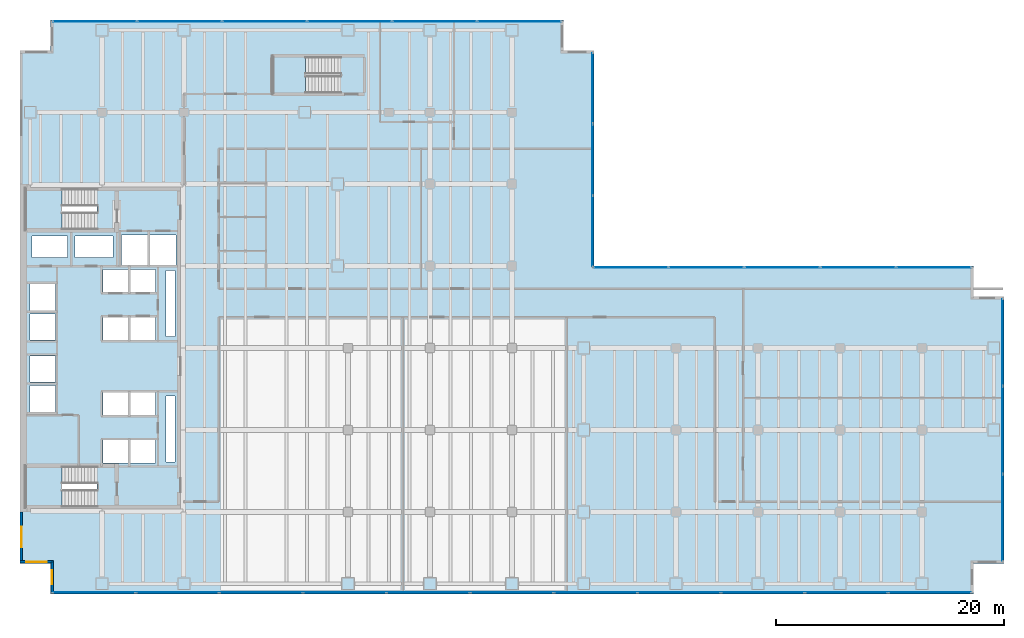
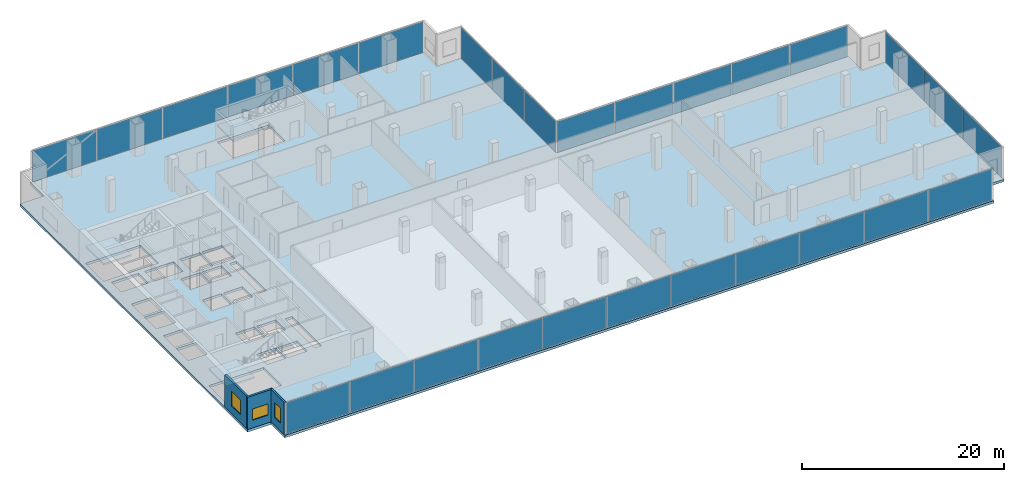
# One storey, part 21 of 28: 28 plates, 4 slabs, 3 walls, 3 windows, 24 openings, 8 elements without a shape of their own.
"""IFC4 building model written with IfcOpenShell, lengths in metres."""

from ifc_helpers import new_model, si_unit, direction, frame, frame_2d, origin, origin_2d, place, context, subcontext, project, spatial, polyline, rectangle, outline, extrude, material, layer, layer_set, type_object, element, fill, aggregate, save


model = new_model("IFC4")

# Units and contexts
model_context = context("Model", 3, precision=1e-05, world=origin(), true_north=direction((0.0, 1.0)))
body_context = subcontext(model_context, "Body", "Model", "MODEL_VIEW")
ifc_project = project(units=[si_unit("LENGTHUNIT", "METRE"), si_unit("AREAUNIT", "SQUARE_METRE"), si_unit("VOLUMEUNIT", "CUBIC_METRE"), si_unit("PLANEANGLEUNIT", "RADIAN"), si_unit("MASSUNIT", "GRAM", prefix="KILO")], contexts=[model_context])

# Site, building, storey
site_placement = place(None, origin())
site = spatial("IfcSite", under=ifc_project, at=site_placement, CompositionType="ELEMENT")
building_placement = place(site_placement, origin())
building = spatial("IfcBuilding", under=site, at=building_placement, Name="Cobrela Telecom Tower", CompositionType="ELEMENT")
storey_placement = place(building_placement, frame((0.0, 0.0, 17.85009765625)))
storey = spatial("IfcBuildingStorey", under=building, at=storey_placement, Name="L04", CompositionType="ELEMENT", Elevation=17.85009765625)

# Curtain wall, plates
ifc_material_1 = material(Name="Anodized Bronze Aluminium 6063-T6", Category="aluminium")
curtain_wall_type = type_object("IfcCurtainWallType", Name="CW-SYS-CONC", PredefinedType="USERDEFINED", material=ifc_material_1)
curtain_wall_1_placement = place(storey_placement, origin())
curtain_wall_1 = element("IfcCurtainWall", 1, at=curtain_wall_1_placement, inside=storey, type_object=curtain_wall_type, Name="L04 Unitised Bronze Curtain Wall 07", ObjectType="UNITISED CURTAIN WALL", PredefinedType="USERDEFINED")
ifc_material_2 = material(Name="Solar-Control Bronze Low-E Glass", Category="glass")
ifc_layer_1 = layer(ifc_material_2, 0.0419921875)
ifc_layer_set_1 = layer_set([ifc_layer_1], Name="Solar-Control Bronze Low-E Glass")
plate_type = type_object("IfcPlateType", Name="CW-SYS-CONC-PNL", PredefinedType="CURTAIN_PANEL", material=ifc_layer_set_1)
plate_1_placement = place(storey_placement, frame((6.570068359375, 50.280029296875, 0.079833984375), z_axis=(0.0, 0.0, 1.0), x_axis=(1.0, 0.0, 0.0)))
plate_1 = element("IfcPlate", 2, at=plate_1_placement, type_object=plate_type, Name="CW-CONC panel 1.1", PredefinedType="CURTAIN_PANEL", context=body_context, shape_type="SweptSolid", body=[
    extrude(rectangle(XDim=7.340087890625, YDim=0.0419921875, at=origin_2d()), origin(), (0.0, 0.0, 1.0), 3.75),
])
plate_2_placement = place(storey_placement, frame((14.010009765625, 50.280029296875, 0.079833984375), z_axis=(0.0, 0.0, 1.0), x_axis=(1.0, 0.0, 0.0)))
plate_2 = element("IfcPlate", 3, at=plate_2_placement, type_object=plate_type, Name="CW-CONC panel 2.1", PredefinedType="CURTAIN_PANEL", context=body_context, shape_type="SweptSolid", body=[
    extrude(rectangle(XDim=7.3798828125, YDim=0.0419921875, at=origin_2d()), origin(), (0.0, 0.0, 1.0), 3.75),
])
plate_3_placement = place(storey_placement, frame((21.469970703125, 50.280029296875, 0.079833984375), z_axis=(0.0, 0.0, 1.0), x_axis=(1.0, 0.0, 0.0)))
plate_3 = element("IfcPlate", 4, at=plate_3_placement, type_object=plate_type, Name="CW-CONC panel 3.1", PredefinedType="CURTAIN_PANEL", context=body_context, shape_type="SweptSolid", body=[
    extrude(rectangle(XDim=7.3798828125, YDim=0.0419921875, at=origin_2d()), origin(), (0.0, 0.0, 1.0), 3.75),
])
plate_4_placement = place(storey_placement, frame((28.929931640625, 50.280029296875, 0.079833984375), z_axis=(0.0, 0.0, 1.0), x_axis=(1.0, 0.0, 0.0)))
plate_4 = element("IfcPlate", 5, at=plate_4_placement, type_object=plate_type, Name="CW-CONC panel 4.1", PredefinedType="CURTAIN_PANEL", context=body_context, shape_type="SweptSolid", body=[
    extrude(rectangle(XDim=7.3798828125, YDim=0.0419921875, at=origin_2d()), origin(), (0.0, 0.0, 1.0), 3.75),
])
plate_5_placement = place(storey_placement, frame((36.389892578125, 50.280029296875, 0.079833984375), z_axis=(0.0, 0.0, 1.0), x_axis=(1.0, 0.0, 0.0)))
plate_5 = element("IfcPlate", 6, at=plate_5_placement, type_object=plate_type, Name="CW-CONC panel 5.1", PredefinedType="CURTAIN_PANEL", context=body_context, shape_type="SweptSolid", body=[
    extrude(rectangle(XDim=7.3798828125, YDim=0.0419921875, at=origin_2d()), origin(), (0.0, 0.0, 1.0), 3.75),
])
plate_6_placement = place(storey_placement, frame((43.830078125, 50.280029296875, 0.079833984375), z_axis=(0.0, 0.0, 1.0), x_axis=(1.0, 0.0, 0.0)))
plate_6 = element("IfcPlate", 7, at=plate_6_placement, type_object=plate_type, Name="CW-CONC panel 6.1", PredefinedType="CURTAIN_PANEL", context=body_context, shape_type="SweptSolid", body=[
    extrude(rectangle(XDim=7.340087890625, YDim=0.0419921875, at=origin_2d()), origin(), (0.0, 0.0, 1.0), 3.75),
])
aggregate(curtain_wall_1, [plate_1, plate_2, plate_3, plate_4, plate_5, plate_6])

curtain_wall_2_placement = place(storey_placement, origin())
curtain_wall_2 = element("IfcCurtainWall", 8, at=curtain_wall_2_placement, inside=storey, type_object=curtain_wall_type, Name="L04 Unitised Bronze Curtain Wall 10", ObjectType="UNITISED CURTAIN WALL", PredefinedType="USERDEFINED")
plate_7_placement = place(storey_placement, frame((50.280029296875, 44.409912109375, 0.079833984375), z_axis=(0.0, 0.0, 1.0), x_axis=(0.0, -1.0, 0.0)))
plate_7 = element("IfcPlate", 9, at=plate_7_placement, type_object=plate_type, Name="CW-CONC panel 1.1", PredefinedType="CURTAIN_PANEL", context=body_context, shape_type="SweptSolid", body=[
    extrude(rectangle(XDim=6.179931640625, YDim=0.0419921875, at=origin_2d()), origin(), (0.0, 0.0, 1.0), 3.75),
])
plate_8_placement = place(storey_placement, frame((50.280029296875, 38.1298828125, 0.079833984375), z_axis=(0.0, 0.0, 1.0), x_axis=(0.0, -1.0, 0.0)))
plate_8 = element("IfcPlate", 10, at=plate_8_placement, type_object=plate_type, Name="CW-CONC panel 2.1", PredefinedType="CURTAIN_PANEL", context=body_context, shape_type="SweptSolid", body=[
    extrude(rectangle(XDim=6.219970703125, YDim=0.0419921875, at=origin_2d()), origin(), (0.0, 0.0, 1.0), 3.75),
])
plate_9_placement = place(storey_placement, frame((50.280029296875, 31.85009765625, 0.079833984375), z_axis=(0.0, 0.0, 1.0), x_axis=(0.0, -1.0, 0.0)))
plate_9 = element("IfcPlate", 11, at=plate_9_placement, type_object=plate_type, Name="CW-CONC panel 3.1", PredefinedType="CURTAIN_PANEL", context=body_context, shape_type="SweptSolid", body=[
    extrude(rectangle(XDim=6.179931640625, YDim=0.0419921875, at=origin_2d()), origin(), (0.0, 0.0, 1.0), 3.75),
])
aggregate(curtain_wall_2, [plate_7, plate_8, plate_9])

curtain_wall_3_placement = place(storey_placement, origin())
curtain_wall_3 = element("IfcCurtainWall", 12, at=curtain_wall_3_placement, inside=storey, type_object=curtain_wall_type, Name="L04 Unitised Bronze Curtain Wall 11", ObjectType="UNITISED CURTAIN WALL", PredefinedType="USERDEFINED")
plate_10_placement = place(storey_placement, frame((53.6298828125, 28.679931640625, 0.079833984375), z_axis=(0.0, 0.0, 1.0), x_axis=(1.0, 0.0, 0.0)))
plate_10 = element("IfcPlate", 13, at=plate_10_placement, type_object=plate_type, Name="CW-CONC panel 1.1", PredefinedType="CURTAIN_PANEL", context=body_context, shape_type="SweptSolid", body=[
    extrude(rectangle(XDim=6.5400390625, YDim=0.0419921875, at=origin_2d()), origin(), (0.0, 0.0, 1.0), 3.75),
])
plate_11_placement = place(storey_placement, frame((60.27001953125, 28.679931640625, 0.079833984375), z_axis=(0.0, 0.0, 1.0), x_axis=(1.0, 0.0, 0.0)))
plate_11 = element("IfcPlate", 14, at=plate_11_placement, type_object=plate_type, Name="CW-CONC panel 2.1", PredefinedType="CURTAIN_PANEL", context=body_context, shape_type="SweptSolid", body=[
    extrude(rectangle(XDim=6.580078125, YDim=0.0419921875, at=origin_2d()), origin(), (0.0, 0.0, 1.0), 3.75),
])
plate_12_placement = place(storey_placement, frame((66.929931640625, 28.679931640625, 0.079833984375), z_axis=(0.0, 0.0, 1.0), x_axis=(1.0, 0.0, 0.0)))
plate_12 = element("IfcPlate", 15, at=plate_12_placement, type_object=plate_type, Name="CW-CONC panel 3.1", PredefinedType="CURTAIN_PANEL", context=body_context, shape_type="SweptSolid", body=[
    extrude(rectangle(XDim=6.580078125, YDim=0.0419921875, at=origin_2d()), origin(), (0.0, 0.0, 1.0), 3.75),
])
plate_13_placement = place(storey_placement, frame((73.590087890625, 28.679931640625, 0.079833984375), z_axis=(0.0, 0.0, 1.0), x_axis=(1.0, 0.0, 0.0)))
plate_13 = element("IfcPlate", 16, at=plate_13_placement, type_object=plate_type, Name="CW-CONC panel 4.1", PredefinedType="CURTAIN_PANEL", context=body_context, shape_type="SweptSolid", body=[
    extrude(rectangle(XDim=6.580078125, YDim=0.0419921875, at=origin_2d()), origin(), (0.0, 0.0, 1.0), 3.75),
])
plate_14_placement = place(storey_placement, frame((80.22998046875, 28.679931640625, 0.079833984375), z_axis=(0.0, 0.0, 1.0), x_axis=(1.0, 0.0, 0.0)))
plate_14 = element("IfcPlate", 17, at=plate_14_placement, type_object=plate_type, Name="CW-CONC panel 5.1", PredefinedType="CURTAIN_PANEL", context=body_context, shape_type="SweptSolid", body=[
    extrude(rectangle(XDim=6.5400390625, YDim=0.0419921875, at=origin_2d()), origin(), (0.0, 0.0, 1.0), 3.75),
])
aggregate(curtain_wall_3, [plate_10, plate_11, plate_12, plate_13, plate_14])

curtain_wall_4_placement = place(storey_placement, origin())
curtain_wall_4 = element("IfcCurtainWall", 18, at=curtain_wall_4_placement, inside=storey, type_object=curtain_wall_type, Name="L04 Unitised Bronze Curtain Wall 14", ObjectType="UNITISED CURTAIN WALL", PredefinedType="USERDEFINED")
plate_15_placement = place(storey_placement, frame((86.280029296875, 22.10009765625, 0.079833984375), z_axis=(0.0, 0.0, 1.0), x_axis=(0.0, -1.0, 0.0)))
plate_15 = element("IfcPlate", 19, at=plate_15_placement, type_object=plate_type, Name="CW-CONC panel 1.1", PredefinedType="CURTAIN_PANEL", context=body_context, shape_type="SweptSolid", body=[
    extrude(rectangle(XDim=7.60009765625, YDim=0.0419921875, at=origin_2d()), origin(), (0.0, 0.0, 1.0), 3.75),
])
plate_16_placement = place(storey_placement, frame((86.280029296875, 14.39990234375, 0.079833984375), z_axis=(0.0, 0.0, 1.0), x_axis=(0.0, -1.0, 0.0)))
plate_16 = element("IfcPlate", 20, at=plate_16_placement, type_object=plate_type, Name="CW-CONC panel 2.1", PredefinedType="CURTAIN_PANEL", context=body_context, shape_type="SweptSolid", body=[
    extrude(rectangle(XDim=7.639892578125, YDim=0.0419921875, at=origin_2d()), origin(), (0.0, 0.0, 1.0), 3.75),
])
plate_17_placement = place(storey_placement, frame((86.280029296875, 6.699951171875, 0.079833984375), z_axis=(0.0, 0.0, 1.0), x_axis=(0.0, -1.0, 0.0)))
plate_17 = element("IfcPlate", 21, at=plate_17_placement, type_object=plate_type, Name="CW-CONC panel 3.1", PredefinedType="CURTAIN_PANEL", context=body_context, shape_type="SweptSolid", body=[
    extrude(rectangle(XDim=7.60009765625, YDim=0.0419921875, at=origin_2d()), origin(), (0.0, 0.0, 1.0), 3.75),
])
aggregate(curtain_wall_4, [plate_15, plate_16, plate_17])

curtain_wall_5_placement = place(storey_placement, origin())
curtain_wall_5 = element("IfcCurtainWall", 22, at=curtain_wall_5_placement, inside=storey, type_object=curtain_wall_type, Name="L04 Unitised Bronze Curtain Wall 17", ObjectType="UNITISED CURTAIN WALL", PredefinedType="USERDEFINED")
plate_18_placement = place(storey_placement, frame((79.88916015625, 0.1201171875, 0.079833984375), z_axis=(0.0, 0.0, 1.0), x_axis=(-1.0, 0.0, 0.0)))
plate_18 = element("IfcPlate", 23, at=plate_18_placement, type_object=plate_type, Name="CW-CONC panel 1.1", PredefinedType="CURTAIN_PANEL", context=body_context, shape_type="SweptSolid", body=[
    extrude(rectangle(XDim=7.221923828125, YDim=0.0419921875, at=origin_2d()), origin(), (0.0, 0.0, 1.0), 3.75),
])
plate_19_placement = place(storey_placement, frame((72.5673828125, 0.1201171875, 0.079833984375), z_axis=(0.0, 0.0, 1.0), x_axis=(-1.0, 0.0, 0.0)))
plate_19 = element("IfcPlate", 24, at=plate_19_placement, type_object=plate_type, Name="CW-CONC panel 2.1", PredefinedType="CURTAIN_PANEL", context=body_context, shape_type="SweptSolid", body=[
    extrude(rectangle(XDim=7.26171875, YDim=0.0419921875, at=origin_2d()), origin(), (0.0, 0.0, 1.0), 3.75),
])
plate_20_placement = place(storey_placement, frame((65.225341796875, 0.1201171875, 0.079833984375), z_axis=(0.0, 0.0, 1.0), x_axis=(-1.0, 0.0, 0.0)))
plate_20 = element("IfcPlate", 25, at=plate_20_placement, type_object=plate_type, Name="CW-CONC panel 3.1", PredefinedType="CURTAIN_PANEL", context=body_context, shape_type="SweptSolid", body=[
    extrude(rectangle(XDim=7.26171875, YDim=0.0419921875, at=origin_2d()), origin(), (0.0, 0.0, 1.0), 3.75),
])
plate_21_placement = place(storey_placement, frame((57.883544921875, 0.1201171875, 0.079833984375), z_axis=(0.0, 0.0, 1.0), x_axis=(-1.0, 0.0, 0.0)))
plate_21 = element("IfcPlate", 26, at=plate_21_placement, type_object=plate_type, Name="CW-CONC panel 4.1", PredefinedType="CURTAIN_PANEL", context=body_context, shape_type="SweptSolid", body=[
    extrude(rectangle(XDim=7.26171875, YDim=0.0419921875, at=origin_2d()), origin(), (0.0, 0.0, 1.0), 3.75),
])
plate_22_placement = place(storey_placement, frame((50.541748046875, 0.1201171875, 0.079833984375), z_axis=(0.0, 0.0, 1.0), x_axis=(-1.0, 0.0, 0.0)))
plate_22 = element("IfcPlate", 27, at=plate_22_placement, type_object=plate_type, Name="CW-CONC panel 5.1", PredefinedType="CURTAIN_PANEL", context=body_context, shape_type="SweptSolid", body=[
    extrude(rectangle(XDim=7.26171875, YDim=0.0419921875, at=origin_2d()), origin(), (0.0, 0.0, 1.0), 3.75),
])
plate_23_placement = place(storey_placement, frame((43.199951171875, 0.1201171875, 0.079833984375), z_axis=(0.0, 0.0, 1.0), x_axis=(-1.0, 0.0, 0.0)))
plate_23 = element("IfcPlate", 28, at=plate_23_placement, type_object=plate_type, Name="CW-CONC panel 6.1", PredefinedType="CURTAIN_PANEL", context=body_context, shape_type="SweptSolid", body=[
    extrude(rectangle(XDim=7.26171875, YDim=0.0419921875, at=origin_2d()), origin(), (0.0, 0.0, 1.0), 3.75),
])
plate_24_placement = place(storey_placement, frame((35.858154296875, 0.1201171875, 0.079833984375), z_axis=(0.0, 0.0, 1.0), x_axis=(-1.0, 0.0, 0.0)))
plate_24 = element("IfcPlate", 29, at=plate_24_placement, type_object=plate_type, Name="CW-CONC panel 7.1", PredefinedType="CURTAIN_PANEL", context=body_context, shape_type="SweptSolid", body=[
    extrude(rectangle(XDim=7.26171875, YDim=0.0419921875, at=origin_2d()), origin(), (0.0, 0.0, 1.0), 3.75),
])
plate_25_placement = place(storey_placement, frame((28.516357421875, 0.1201171875, 0.079833984375), z_axis=(0.0, 0.0, 1.0), x_axis=(-1.0, 0.0, 0.0)))
plate_25 = element("IfcPlate", 30, at=plate_25_placement, type_object=plate_type, Name="CW-CONC panel 8.1", PredefinedType="CURTAIN_PANEL", context=body_context, shape_type="SweptSolid", body=[
    extrude(rectangle(XDim=7.26171875, YDim=0.0419921875, at=origin_2d()), origin(), (0.0, 0.0, 1.0), 3.75),
])
plate_26_placement = place(storey_placement, frame((21.174560546875, 0.1201171875, 0.079833984375), z_axis=(0.0, 0.0, 1.0), x_axis=(-1.0, 0.0, 0.0)))
plate_26 = element("IfcPlate", 31, at=plate_26_placement, type_object=plate_type, Name="CW-CONC panel 9.1", PredefinedType="CURTAIN_PANEL", context=body_context, shape_type="SweptSolid", body=[
    extrude(rectangle(XDim=7.26171875, YDim=0.0419921875, at=origin_2d()), origin(), (0.0, 0.0, 1.0), 3.75),
])
plate_27_placement = place(storey_placement, frame((13.832763671875, 0.1201171875, 0.079833984375), z_axis=(0.0, 0.0, 1.0), x_axis=(-1.0, 0.0, 0.0)))
plate_27 = element("IfcPlate", 32, at=plate_27_placement, type_object=plate_type, Name="CW-CONC panel 10.1", PredefinedType="CURTAIN_PANEL", context=body_context, shape_type="SweptSolid", body=[
    extrude(rectangle(XDim=7.26171875, YDim=0.0419921875, at=origin_2d()), origin(), (0.0, 0.0, 1.0), 3.75),
])
plate_28_placement = place(storey_placement, frame((6.510986328125, 0.1201171875, 0.079833984375), z_axis=(0.0, 0.0, 1.0), x_axis=(-1.0, 0.0, 0.0)))
plate_28 = element("IfcPlate", 33, at=plate_28_placement, type_object=plate_type, Name="CW-CONC panel 11.1", PredefinedType="CURTAIN_PANEL", context=body_context, shape_type="SweptSolid", body=[
    extrude(rectangle(XDim=7.221923828125, YDim=0.0419921875, at=origin_2d()), origin(), (0.0, 0.0, 1.0), 3.75),
])
aggregate(curtain_wall_5, [plate_18, plate_19, plate_20, plate_21, plate_22, plate_23, plate_24, plate_25, plate_26, plate_27, plate_28])

# Slab, openings
ifc_material_3 = material(Name="Concrete C40/50", Category="concrete")
ifc_layer_2 = layer(ifc_material_3, 0.2900390625)
ifc_layer_set_2 = layer_set([ifc_layer_2], Name="Concrete C40/50")
slab_type_1 = type_object("IfcSlabType", Name="SLAB-FLR-290", PredefinedType="FLOOR", material=ifc_layer_set_2)
slab_1_placement = place(storey_placement, frame((0.0, 0.0, -0.2900390625)))
slab_1 = element("IfcSlab", 34, at=slab_1_placement, inside=storey, type_object=slab_type_1, Name="L04 Structural Floor Slab", PredefinedType="FLOOR", context=body_context, shape_type="SweptSolid", body=[
    extrude(outline(polyline([(2.699951171875, 0.0), (83.699951171875, 0.0), (83.699951171875, 2.699951171875), (86.39990234375, 2.699951171875), (86.39990234375, 26.10009765625), (83.699951171875, 26.10009765625), (83.699951171875, 28.800048828125), (50.39990234375, 28.800048828125), (50.39990234375, 47.699951171875), (47.699951171875, 47.699951171875), (47.699951171875, 50.39990234375), (2.699951171875, 50.39990234375), (2.699951171875, 47.699951171875), (0.0, 47.699951171875), (0.0, 2.699951171875), (2.699951171875, 2.699951171875), (2.699951171875, 0.0)])), origin(), (0.0, 0.0, 1.0), 0.2900390625),
])
opening_1_placement = place(slab_1_placement, frame((0.0, 0.0, -0.02001953125)))
element("IfcOpeningElement", 35, at=opening_1_placement, cuts=slab_1, Name="Slab Shaft Opening SLAB-L04-MAIN.1", PredefinedType="OPENING", context=body_context, shape_type="SweptSolid", body=[
    extrude(outline(polyline([(8.89990234375, 28.89990234375), (11.199951171875, 28.89990234375), (11.199951171875, 31.5), (8.89990234375, 31.5), (8.89990234375, 28.89990234375)])), origin(), (0.0, 0.0, 1.0), 0.330078125),
])
opening_2_placement = place(slab_1_placement, frame((0.0, 0.0, -0.02001953125)))
element("IfcOpeningElement", 36, at=opening_2_placement, cuts=slab_1, Name="Slab Shaft Opening SLAB-L04-MAIN.2", PredefinedType="OPENING", context=body_context, shape_type="SweptSolid", body=[
    extrude(outline(polyline([(11.39990234375, 28.89990234375), (13.699951171875, 28.89990234375), (13.699951171875, 31.5), (11.39990234375, 31.5), (11.39990234375, 28.89990234375)])), origin(), (0.0, 0.0, 1.0), 0.330078125),
])
opening_3_placement = place(slab_1_placement, frame((0.0, 0.0, -0.02001953125)))
element("IfcOpeningElement", 37, at=opening_3_placement, cuts=slab_1, Name="Slab Shaft Opening SLAB-L04-MAIN.3", PredefinedType="OPENING", context=body_context, shape_type="SweptSolid", body=[
    extrude(outline(polyline([(7.300048828125, 22.300048828125), (9.5, 22.300048828125), (9.5, 24.300048828125), (7.300048828125, 24.300048828125), (7.300048828125, 22.300048828125)])), origin(), (0.0, 0.0, 1.0), 0.330078125),
])
opening_4_placement = place(slab_1_placement, frame((0.0, 0.0, -0.02001953125)))
element("IfcOpeningElement", 38, at=opening_4_placement, cuts=slab_1, Name="Slab Shaft Opening SLAB-L04-MAIN.4", PredefinedType="OPENING", context=body_context, shape_type="SweptSolid", body=[
    extrude(outline(polyline([(9.699951171875, 22.300048828125), (11.89990234375, 22.300048828125), (11.89990234375, 24.300048828125), (9.699951171875, 24.300048828125), (9.699951171875, 22.300048828125)])), origin(), (0.0, 0.0, 1.0), 0.330078125),
])
opening_5_placement = place(slab_1_placement, frame((0.0, 0.0, -0.02001953125)))
element("IfcOpeningElement", 39, at=opening_5_placement, cuts=slab_1, Name="Slab Shaft Opening SLAB-L04-MAIN.5", PredefinedType="OPENING", context=body_context, shape_type="SweptSolid", body=[
    extrude(outline(polyline([(7.300048828125, 26.5), (9.5, 26.5), (9.5, 28.5), (7.300048828125, 28.5), (7.300048828125, 26.5)])), origin(), (0.0, 0.0, 1.0), 0.330078125),
])
opening_6_placement = place(slab_1_placement, frame((0.0, 0.0, -0.02001953125)))
element("IfcOpeningElement", 40, at=opening_6_placement, cuts=slab_1, Name="Slab Shaft Opening SLAB-L04-MAIN.6", PredefinedType="OPENING", context=body_context, shape_type="SweptSolid", body=[
    extrude(outline(polyline([(9.699951171875, 26.5), (11.89990234375, 26.5), (11.89990234375, 28.5), (9.699951171875, 28.5), (9.699951171875, 26.5)])), origin(), (0.0, 0.0, 1.0), 0.330078125),
])
opening_7_placement = place(slab_1_placement, frame((0.0, 0.0, -0.02001953125)))
element("IfcOpeningElement", 41, at=opening_7_placement, cuts=slab_1, Name="Slab Shaft Opening SLAB-L04-MAIN.7", PredefinedType="OPENING", context=body_context, shape_type="SweptSolid", body=[
    extrude(outline(polyline([(7.300048828125, 15.699951171875), (9.5, 15.699951171875), (9.5, 17.699951171875), (7.300048828125, 17.699951171875), (7.300048828125, 15.699951171875)])), origin(), (0.0, 0.0, 1.0), 0.330078125),
])
opening_8_placement = place(slab_1_placement, frame((0.0, 0.0, -0.02001953125)))
element("IfcOpeningElement", 42, at=opening_8_placement, cuts=slab_1, Name="Slab Shaft Opening SLAB-L04-MAIN.8", PredefinedType="OPENING", context=body_context, shape_type="SweptSolid", body=[
    extrude(outline(polyline([(9.699951171875, 15.699951171875), (11.89990234375, 15.699951171875), (11.89990234375, 17.699951171875), (9.699951171875, 17.699951171875), (9.699951171875, 15.699951171875)])), origin(), (0.0, 0.0, 1.0), 0.330078125),
])
opening_9_placement = place(slab_1_placement, frame((0.0, 0.0, -0.02001953125)))
element("IfcOpeningElement", 43, at=opening_9_placement, cuts=slab_1, Name="Slab Shaft Opening SLAB-L04-MAIN.9", PredefinedType="OPENING", context=body_context, shape_type="SweptSolid", body=[
    extrude(outline(polyline([(7.300048828125, 11.5), (9.5, 11.5), (9.5, 13.5), (7.300048828125, 13.5), (7.300048828125, 11.5)])), origin(), (0.0, 0.0, 1.0), 0.330078125),
])
opening_10_placement = place(slab_1_placement, frame((0.0, 0.0, -0.02001953125)))
element("IfcOpeningElement", 44, at=opening_10_placement, cuts=slab_1, Name="Slab Shaft Opening SLAB-L04-MAIN.10", PredefinedType="OPENING", context=body_context, shape_type="SweptSolid", body=[
    extrude(outline(polyline([(9.699951171875, 11.5), (11.89990234375, 11.5), (11.89990234375, 13.5), (9.699951171875, 13.5), (9.699951171875, 11.5)])), origin(), (0.0, 0.0, 1.0), 0.330078125),
])
opening_11_placement = place(slab_1_placement, frame((0.0, 0.0, -0.02001953125)))
element("IfcOpeningElement", 45, at=opening_11_placement, cuts=slab_1, Name="Slab Shaft Opening SLAB-L04-MAIN.11", PredefinedType="OPENING", context=body_context, shape_type="SweptSolid", body=[
    extrude(outline(polyline([(0.89990234375, 16.0), (3.10009765625, 16.0), (3.10009765625, 18.300048828125), (0.89990234375, 18.300048828125), (0.89990234375, 16.0)])), origin(), (0.0, 0.0, 1.0), 0.330078125),
])
opening_12_placement = place(slab_1_placement, frame((0.0, 0.0, -0.02001953125)))
element("IfcOpeningElement", 46, at=opening_12_placement, cuts=slab_1, Name="Slab Shaft Opening SLAB-L04-MAIN.12", PredefinedType="OPENING", context=body_context, shape_type="SweptSolid", body=[
    extrude(outline(polyline([(0.89990234375, 18.60009765625), (3.10009765625, 18.60009765625), (3.10009765625, 20.89990234375), (0.89990234375, 20.89990234375), (0.89990234375, 18.60009765625)])), origin(), (0.0, 0.0, 1.0), 0.330078125),
])
opening_13_placement = place(slab_1_placement, frame((0.0, 0.0, -0.02001953125)))
element("IfcOpeningElement", 47, at=opening_13_placement, cuts=slab_1, Name="Slab Shaft Opening SLAB-L04-MAIN.13", PredefinedType="OPENING", context=body_context, shape_type="SweptSolid", body=[
    extrude(outline(polyline([(0.89990234375, 22.300048828125), (3.10009765625, 22.300048828125), (3.10009765625, 24.60009765625), (0.89990234375, 24.60009765625), (0.89990234375, 22.300048828125)])), origin(), (0.0, 0.0, 1.0), 0.330078125),
])
opening_14_placement = place(slab_1_placement, frame((0.0, 0.0, -0.02001953125)))
element("IfcOpeningElement", 48, at=opening_14_placement, cuts=slab_1, Name="Slab Shaft Opening SLAB-L04-MAIN.14", PredefinedType="OPENING", context=body_context, shape_type="SweptSolid", body=[
    extrude(outline(polyline([(0.89990234375, 24.89990234375), (3.10009765625, 24.89990234375), (3.10009765625, 27.199951171875), (0.89990234375, 27.199951171875), (0.89990234375, 24.89990234375)])), origin(), (0.0, 0.0, 1.0), 0.330078125),
])
opening_15_placement = place(slab_1_placement, frame((0.0, 0.0, -0.02001953125)))
element("IfcOpeningElement", 49, at=opening_15_placement, cuts=slab_1, Name="Slab Shaft Opening SLAB-L04-MAIN.15", PredefinedType="OPENING", context=body_context, shape_type="SweptSolid", body=[
    extrude(outline(polyline([(1.050048828125, 29.550048828125), (4.14990234375, 29.550048828125), (4.14990234375, 31.449951171875), (1.050048828125, 31.449951171875), (1.050048828125, 29.550048828125)])), origin(), (0.0, 0.0, 1.0), 0.330078125),
])
opening_16_placement = place(slab_1_placement, frame((0.0, 0.0, -0.02001953125)))
element("IfcOpeningElement", 50, at=opening_16_placement, cuts=slab_1, Name="Slab Shaft Opening SLAB-L04-MAIN.16", PredefinedType="OPENING", context=body_context, shape_type="SweptSolid", body=[
    extrude(outline(polyline([(4.85009765625, 29.550048828125), (8.14990234375, 29.550048828125), (8.14990234375, 31.449951171875), (4.85009765625, 31.449951171875), (4.85009765625, 29.550048828125)])), origin(), (0.0, 0.0, 1.0), 0.330078125),
])
opening_17_placement = place(slab_1_placement, frame((0.0, 0.0, -0.02001953125)))
element("IfcOpeningElement", 51, at=opening_17_placement, cuts=slab_1, Name="Slab Shaft Opening SLAB-L04-MAIN.17", PredefinedType="OPENING", context=body_context, shape_type="SweptSolid", body=[
    extrude(outline(polyline([(12.800048828125, 22.60009765625), (13.60009765625, 22.60009765625), (13.60009765625, 28.39990234375), (12.800048828125, 28.39990234375), (12.800048828125, 22.60009765625)])), origin(), (0.0, 0.0, 1.0), 0.330078125),
])
opening_18_placement = place(slab_1_placement, frame((0.0, 0.0, -0.02001953125)))
element("IfcOpeningElement", 52, at=opening_18_placement, cuts=slab_1, Name="Slab Shaft Opening SLAB-L04-MAIN.18", PredefinedType="OPENING", context=body_context, shape_type="SweptSolid", body=[
    extrude(outline(polyline([(12.800048828125, 11.60009765625), (13.60009765625, 11.60009765625), (13.60009765625, 17.39990234375), (12.800048828125, 17.39990234375), (12.800048828125, 11.60009765625)])), origin(), (0.0, 0.0, 1.0), 0.330078125),
])
opening_19_placement = place(slab_1_placement, frame((0.0, 0.0, -0.02001953125)))
element("IfcOpeningElement", 53, at=opening_19_placement, cuts=slab_1, Name="Slab Shaft Opening SLAB-L04-MAIN.19", PredefinedType="OPENING", context=body_context, shape_type="SweptSolid", body=[
    extrude(outline(polyline([(6.7548828125, 35.550048828125), (0.47998046875, 35.550048828125), (0.47998046875, 32.0), (6.7548828125, 32.0), (6.7548828125, 35.550048828125)])), origin(), (0.0, 0.0, 1.0), 0.330078125),
])
opening_20_placement = place(slab_1_placement, frame((0.0, 0.0, -0.02001953125)))
element("IfcOpeningElement", 54, at=opening_20_placement, cuts=slab_1, Name="Slab Shaft Opening SLAB-L04-MAIN.20", PredefinedType="OPENING", context=body_context, shape_type="SweptSolid", body=[
    extrude(outline(polyline([(6.7548828125, 11.199951171875), (0.47998046875, 11.199951171875), (0.47998046875, 7.64990234375), (6.7548828125, 7.64990234375), (6.7548828125, 11.199951171875)])), origin(), (0.0, 0.0, 1.0), 0.330078125),
])
opening_21_placement = place(slab_1_placement, frame((0.0, 0.0, -0.02001953125)))
element("IfcOpeningElement", 55, at=opening_21_placement, cuts=slab_1, Name="Slab Shaft Opening SLAB-L04-MAIN.21", PredefinedType="OPENING", context=body_context, shape_type="SweptSolid", body=[
    extrude(outline(polyline([(28.135009765625, 47.14990234375), (22.199951171875, 47.14990234375), (22.199951171875, 44.0), (28.135009765625, 44.0), (28.135009765625, 47.14990234375)])), origin(), (0.0, 0.0, 1.0), 0.330078125),
])

# Stair, slab
stair_type = type_object("IfcStairType", Name="STAIR-CORE", PredefinedType="HALF_TURN_STAIR", material=ifc_material_3)
stair_1_placement = place(storey_placement, origin())
stair_1 = element("IfcStair", 56, at=stair_1_placement, inside=storey, type_object=stair_type, Name="L04 Smokeproof Exit Stair ST1", PredefinedType="HALF_TURN_STAIR")
ifc_layer_3 = layer(ifc_material_3, 0.199951171875)
ifc_layer_set_3 = layer_set([ifc_layer_3], Name="Concrete C40/50")
slab_type_2 = type_object("IfcSlabType", Name="SLAB-LAND-200", PredefinedType="LANDING", material=ifc_layer_set_3)
slab_2_placement = place(storey_placement, frame((0.0, 0.0, 1.89990234375)))
slab_2 = element("IfcSlab", 57, at=slab_2_placement, type_object=slab_type_2, Name="ST1 landing 1", PredefinedType="LANDING", context=body_context, shape_type="SweptSolid", body=[
    extrude(outline(polyline([(3.68505859375, 35.550048828125), (0.47998046875, 35.550048828125), (0.47998046875, 32.0), (3.68505859375, 32.0), (3.68505859375, 35.550048828125)])), origin(), (0.0, 0.0, 1.0), 0.199951171875),
])
aggregate(stair_1, [slab_2])

stair_2_placement = place(storey_placement, origin())
stair_2 = element("IfcStair", 58, at=stair_2_placement, inside=storey, type_object=stair_type, Name="L04 Smokeproof Exit Stair ST2", PredefinedType="HALF_TURN_STAIR")
slab_3_placement = place(storey_placement, frame((0.0, 0.0, 1.89990234375)))
slab_3 = element("IfcSlab", 59, at=slab_3_placement, type_object=slab_type_2, Name="ST2 landing 1", PredefinedType="LANDING", context=body_context, shape_type="SweptSolid", body=[
    extrude(outline(polyline([(3.68505859375, 11.199951171875), (0.47998046875, 11.199951171875), (0.47998046875, 7.64990234375), (3.68505859375, 7.64990234375), (3.68505859375, 11.199951171875)])), origin(), (0.0, 0.0, 1.0), 0.199951171875),
])
aggregate(stair_2, [slab_3])

stair_3_placement = place(storey_placement, origin())
stair_3 = element("IfcStair", 60, at=stair_3_placement, inside=storey, type_object=stair_type, Name="L04 Smokeproof Exit Stair ST3", PredefinedType="HALF_TURN_STAIR")
slab_4_placement = place(storey_placement, frame((0.0, 0.0, 1.89990234375)))
slab_4 = element("IfcSlab", 61, at=slab_4_placement, type_object=slab_type_2, Name="ST3 landing 1", PredefinedType="LANDING", context=body_context, shape_type="SweptSolid", body=[
    extrude(outline(polyline([(25.06494140625, 47.14990234375), (22.199951171875, 47.14990234375), (22.199951171875, 44.0), (25.06494140625, 44.0), (25.06494140625, 47.14990234375)])), origin(), (0.0, 0.0, 1.0), 0.199951171875),
])
aggregate(stair_3, [slab_4])

# Wall, opening, window
ifc_layer_4 = layer(ifc_material_3, 0.239990234375)
ifc_layer_set_4 = layer_set([ifc_layer_4], Name="Concrete C40/50")
wall_type = type_object("IfcWallType", Name="WALL-EXT-300", PredefinedType="STANDARD", material=ifc_layer_set_4)
wall_1_placement = place(storey_placement, frame((2.820068359375, 0.1201171875, 0.0), z_axis=(0.0, 0.0, 1.0), x_axis=(0.0, 1.0, 0.0)))
wall_1 = element("IfcWall", 62, at=wall_1_placement, inside=storey, type_object=wall_type, Name="L04 Insulated Facade Wall 01", PredefinedType="STANDARD", context=body_context, shape_type="SweptSolid", body=[
    extrude(rectangle(XDim=2.699951171875, YDim=0.239990234375, at=frame_2d((1.35009765625, 0.0))), origin(), (0.0, 0.0, 1.0), 3.909912109375),
])
opening_22_placement = place(wall_1_placement, frame((0.75, 0.0, 0.949951171875)))
opening_22 = element("IfcOpeningElement", 63, at=opening_22_placement, cuts=wall_1, Name="Opening WN-19", PredefinedType="OPENING", context=body_context, shape_type="SweptSolid", body=[
    extrude(rectangle(XDim=1.199951171875, YDim=1.800048828125, at=frame_2d((0.60009765625, 0.89990234375))), frame((0.0, 0.1318359375, 0.0), z_axis=(0.0, -1.0, 0.0), x_axis=(1.0, 0.0, 0.0)), (0.0, 0.0, 1.0), 0.263916015625),
])
window_type_1 = type_object("IfcWindowType", Name="WIN-MOD-1200", PartitioningType="SINGLE_PANEL", PredefinedType="WINDOW", material=ifc_material_2)
window_1_placement = place(opening_22_placement, origin())
window_1 = element("IfcWindow", 64, at=window_1_placement, inside=storey, type_object=window_type_1, Name="L04 Corner Notch Facade Window 017", OverallHeight=1.800048828125, OverallWidth=1.199951171875, PartitioningType="SINGLE_PANEL", PredefinedType="WINDOW", context=body_context, shape_type="SweptSolid", body=[
    extrude(rectangle(XDim=1.199951171875, YDim=1.800048828125, at=frame_2d((0.60009765625, 0.89990234375))), frame((0.0, 0.030029296875, 0.0), z_axis=(0.0, -1.0, 0.0), x_axis=(1.0, 0.0, 0.0)), (0.0, 0.0, 1.0), 0.06005859375),
])
fill(opening_22, window_1)

wall_2_placement = place(storey_placement, frame((2.93994140625, 2.820068359375, 0.0), z_axis=(0.0, 0.0, 1.0), x_axis=(-1.0, 0.0, 0.0)))
wall_2 = element("IfcWall", 65, at=wall_2_placement, inside=storey, type_object=wall_type, Name="L04 Insulated Facade Wall 02", PredefinedType="STANDARD", context=body_context, shape_type="SweptSolid", body=[
    extrude(rectangle(XDim=2.93994140625, YDim=0.239990234375, at=frame_2d((1.469970703125, 0.0))), origin(), (0.0, 0.0, 1.0), 3.909912109375),
])
opening_23_placement = place(wall_2_placement, frame((0.570068359375, 0.0, 0.949951171875)))
opening_23 = element("IfcOpeningElement", 66, at=opening_23_placement, cuts=wall_2, Name="Opening WN-27", PredefinedType="OPENING", context=body_context, shape_type="SweptSolid", body=[
    extrude(rectangle(XDim=1.800048828125, YDim=1.35009765625, at=frame_2d((0.89990234375, 0.675048828125))), frame((0.0, 0.1318359375, 0.0), z_axis=(0.0, -1.0, 0.0), x_axis=(1.0, 0.0, 0.0)), (0.0, 0.0, 1.0), 0.263916015625),
])
window_type_2 = type_object("IfcWindowType", Name="WIN-CLER-1800", PartitioningType="SINGLE_PANEL", PredefinedType="WINDOW", material=ifc_material_2)
window_2_placement = place(opening_23_placement, origin())
window_2 = element("IfcWindow", 67, at=window_2_placement, inside=storey, type_object=window_type_2, Name="L04 Corner Notch Facade Window 018", OverallHeight=1.35009765625, OverallWidth=1.800048828125, PartitioningType="SINGLE_PANEL", PredefinedType="WINDOW", context=body_context, shape_type="SweptSolid", body=[
    extrude(rectangle(XDim=1.800048828125, YDim=1.35009765625, at=frame_2d((0.89990234375, 0.675048828125))), frame((0.0, 0.030029296875, 0.0), z_axis=(0.0, -1.0, 0.0), x_axis=(1.0, 0.0, 0.0)), (0.0, 0.0, 1.0), 0.06005859375),
])
fill(opening_23, window_2)

wall_3_placement = place(storey_placement, frame((0.1201171875, 2.820068359375, 0.0), z_axis=(0.0, 0.0, 1.0), x_axis=(0.0, 1.0, 0.0)))
wall_3 = element("IfcWall", 68, at=wall_3_placement, inside=storey, type_object=wall_type, Name="L04 Insulated Facade Wall 03", PredefinedType="STANDARD", context=body_context, shape_type="SweptSolid", body=[
    extrude(rectangle(XDim=4.3798828125, YDim=0.239990234375, at=frame_2d((2.18994140625, 0.0))), origin(), (0.0, 0.0, 1.0), 3.909912109375),
])
opening_24_placement = place(wall_3_placement, frame((1.2900390625, 0.0, 0.949951171875)))
opening_24 = element("IfcOpeningElement", 69, at=opening_24_placement, cuts=wall_3, Name="Opening WN-13", PredefinedType="OPENING", context=body_context, shape_type="SweptSolid", body=[
    extrude(rectangle(XDim=1.800048828125, YDim=1.800048828125, at=frame_2d((0.89990234375, 0.89990234375))), frame((0.0, 0.1318359375, 0.0), z_axis=(0.0, -1.0, 0.0), x_axis=(1.0, 0.0, 0.0)), (0.0, 0.0, 1.0), 0.263916015625),
])
window_type_3 = type_object("IfcWindowType", Name="WIN-MOD-1800", PartitioningType="SINGLE_PANEL", PredefinedType="WINDOW", material=ifc_material_2)
window_3_placement = place(opening_24_placement, origin())
window_3 = element("IfcWindow", 70, at=window_3_placement, inside=storey, type_object=window_type_3, Name="L04 Modular Punched Facade Window 019", OverallHeight=1.800048828125, OverallWidth=1.800048828125, PartitioningType="SINGLE_PANEL", PredefinedType="WINDOW", context=body_context, shape_type="SweptSolid", body=[
    extrude(rectangle(XDim=1.800048828125, YDim=1.800048828125, at=frame_2d((0.89990234375, 0.89990234375))), frame((0.0, 0.030029296875, 0.0), z_axis=(0.0, -1.0, 0.0), x_axis=(1.0, 0.0, 0.0)), (0.0, 0.0, 1.0), 0.06005859375),
])
fill(opening_24, window_3)

save(model, "model.ifc")
